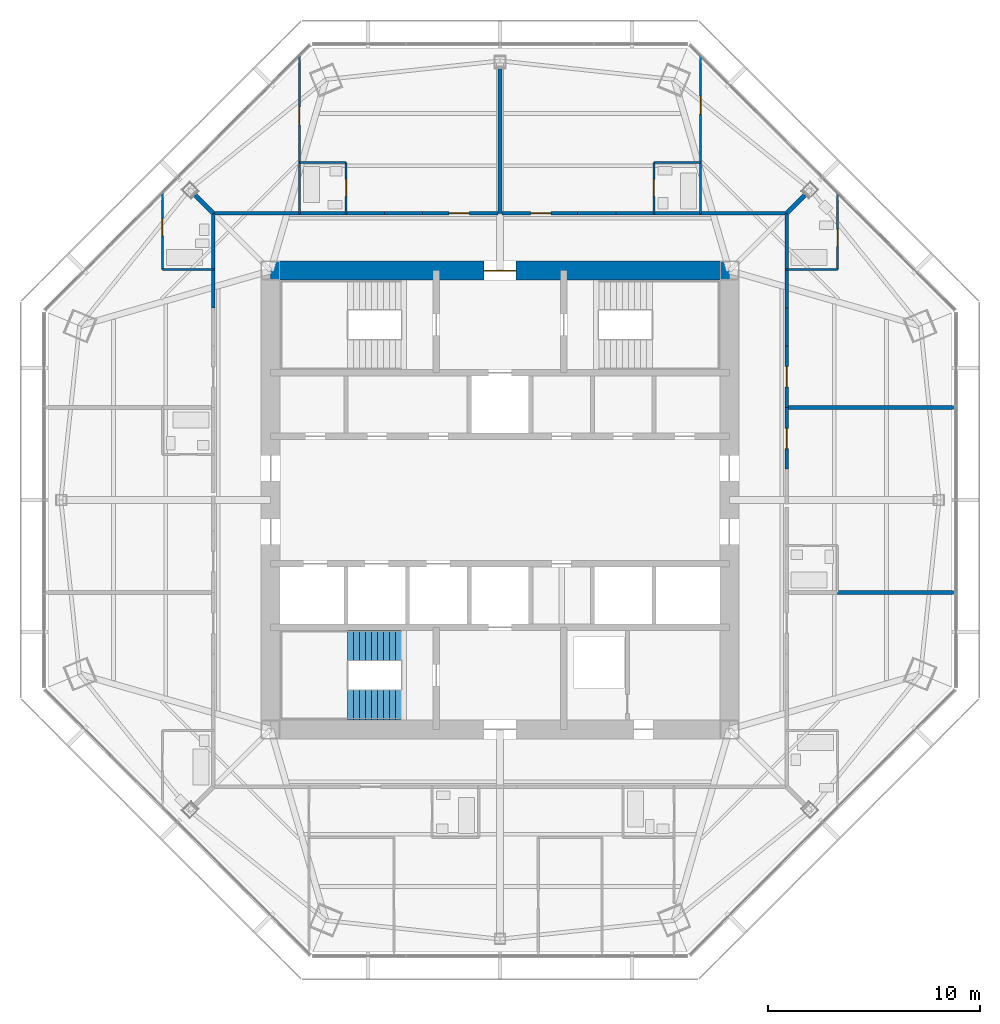
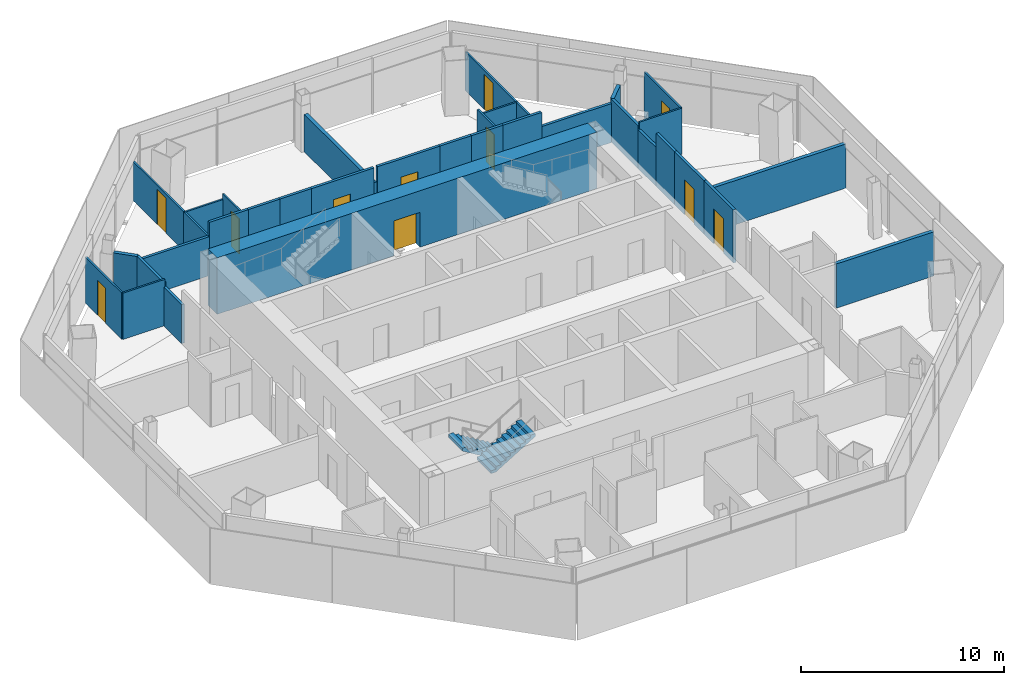
# One storey, part 11 of 15: 35 walls, 11 doors, 2 stair flights, 11 openings, 1 element without a shape of its own.
"""IFC4 building model written with IfcOpenShell, lengths in metres."""

from ifc_helpers import new_model, si_unit, direction, frame, frame_2d, origin, place, context, subcontext, project, spatial, polyline, rectangle, outline, extrude, material, layer, layer_set, type_object, element, fill, aggregate, save


model = new_model("IFC4")

# Units and contexts
model_context = context("Model", 3, precision=1e-05, world=origin(), true_north=direction((0.0, 1.0)))
body_context = subcontext(model_context, "Body", "Model", "MODEL_VIEW")
ifc_project = project(units=[si_unit("LENGTHUNIT", "METRE"), si_unit("AREAUNIT", "SQUARE_METRE"), si_unit("VOLUMEUNIT", "CUBIC_METRE"), si_unit("PLANEANGLEUNIT", "RADIAN"), si_unit("MASSUNIT", "GRAM", prefix="KILO")], contexts=[model_context])

# Site, building, storey
site_placement = place(None, origin())
site = spatial("IfcSite", under=ifc_project, at=site_placement, CompositionType="ELEMENT")
building_placement = place(site_placement, origin())
building = spatial("IfcBuilding", under=site, at=building_placement, Name="Mashrafa Tower", CompositionType="ELEMENT")
storey_placement = place(building_placement, frame((0.0, 0.0, 231.199951171875)))
storey = spatial("IfcBuildingStorey", under=building, at=storey_placement, Name="L54", CompositionType="ELEMENT", Elevation=231.199951171875)

# Walls
ifc_material_1 = material(Name="Gypsum board on steel studs", Category="steel")
ifc_layer_1 = layer(ifc_material_1, 0.199951171875)
ifc_layer_set_1 = layer_set([ifc_layer_1], Name="Acoustic partition 200 1 hr")
wall_type_1 = type_object("IfcWallType", Name="Acoustic partition 200 1 hr", PredefinedType="PARTITIONING", material=ifc_layer_set_1)
wall_1_placement = place(storey_placement, frame((21.456298828125, -4.35009765625, 0.0), z_axis=(0.0, 0.0, 1.0), x_axis=(-1.0, 0.0, 0.0)))
element("IfcWall", 1, at=wall_1_placement, inside=storey, type_object=wall_type_1, Name="Acoustic wall L54-050", PredefinedType="PARTITIONING", context=body_context, shape_type="SweptSolid", body=[
    extrude(rectangle(XDim=5.557373046875, YDim=0.199951171875, at=frame_2d((2.77880859375, 0.0))), origin(), (0.0, 0.0, 1.0), 2.661865234375),
])
wall_2_placement = place(storey_placement, frame((21.456298828125, 4.35009765625, 0.0), z_axis=(0.0, 0.0, 1.0), x_axis=(-1.0, 0.0, 0.0)))
element("IfcWall", 2, at=wall_2_placement, inside=storey, type_object=wall_type_1, Name="Acoustic wall L54-053", PredefinedType="PARTITIONING", context=body_context, shape_type="SweptSolid", body=[
    extrude(rectangle(XDim=7.956298828125, YDim=0.199951171875, at=frame_2d((3.97802734375, 0.0))), origin(), (0.0, 0.0, 1.0), 2.661865234375),
])
wall_3_placement = place(storey_placement, frame((14.360595703125, 14.360595703125, 0.0), z_axis=(0.0, 0.0, 1.0), x_axis=(-0.707106781187, -0.707106781187, 0.0)))
element("IfcWall", 3, at=wall_3_placement, inside=storey, type_object=wall_type_1, Name="Acoustic wall L54-056", PredefinedType="PARTITIONING", context=body_context, shape_type="SweptSolid", body=[
    extrude(rectangle(XDim=1.217041015625, YDim=0.199951171875, at=frame_2d((0.6083984375, 0.0))), origin(), (0.0, 0.0, 1.0), 2.5830078125),
])
wall_4_placement = place(storey_placement, frame((0.0, 20.30908203125, 0.0), z_axis=(0.0, 0.0, 1.0), x_axis=(0.0, -1.0, 0.0)))
element("IfcWall", 4, at=wall_4_placement, inside=storey, type_object=wall_type_1, Name="Acoustic wall L54-061", PredefinedType="PARTITIONING", context=body_context, shape_type="SweptSolid", body=[
    extrude(rectangle(XDim=6.80908203125, YDim=0.199951171875, at=frame_2d((3.404541015625, 0.0))), origin(), (0.0, 0.0, 1.0), 2.2529296875),
])
wall_5_placement = place(storey_placement, frame((-14.360595703125, 14.360595703125, 0.0), z_axis=(0.0, 0.0, 1.0), x_axis=(0.707106781187, -0.707106781187, 0.0)))
element("IfcWall", 5, at=wall_5_placement, inside=storey, type_object=wall_type_1, Name="Acoustic wall L54-064", PredefinedType="PARTITIONING", context=body_context, shape_type="SweptSolid", body=[
    extrude(rectangle(XDim=1.217041015625, YDim=0.199951171875, at=frame_2d((0.6083984375, 0.0))), origin(), (0.0, 0.0, 1.0), 2.5830078125),
])

# Wall, opening, door
ifc_material_2 = material(Name="Concrete C50/60", Category="concrete")
ifc_layer_2 = layer(ifc_material_2, 0.89990234375)
ifc_layer_set_2 = layer_set([ifc_layer_2], Name="Core wall 900 C50/60")
wall_type_2 = type_object("IfcWallType", Name="Core wall 900 C50/60", PredefinedType="SOLIDWALL", material=ifc_layer_set_2)
wall_6_placement = place(storey_placement, frame((10.800048828125, 10.800048828125, 0.0), z_axis=(0.0, 0.0, 1.0), x_axis=(-1.0, 0.0, 0.0)))
wall_6 = element("IfcWall", 6, at=wall_6_placement, inside=storey, type_object=wall_type_2, Name="Core wall CW-N L54", PredefinedType="SOLIDWALL", context=body_context, shape_type="SweptSolid", body=[
    extrude(rectangle(XDim=21.60009765625, YDim=0.89990234375, at=frame_2d((10.800048828125, 0.0))), origin(), (0.0, 0.0, 1.0), 3.400146484375),
])
opening_1_placement = place(wall_6_placement, frame((10.050048828125, 0.0, 0.0)))
opening_1 = element("IfcOpeningElement", 7, at=opening_1_placement, cuts=wall_6, Name="Opening 54.030", PredefinedType="OPENING", context=body_context, shape_type="SweptSolid", body=[
    extrude(rectangle(XDim=1.5, YDim=2.10009765625, at=frame_2d((0.75, 1.050048828125))), frame((0.0, 0.4599609375, 0.0), z_axis=(0.0, -1.0, 0.0), x_axis=(1.0, 0.0, 0.0)), (0.0, 0.0, 1.0), 0.919921875),
])
ifc_material_3 = material(Name="Steel door", Category="steel")
door_type_1 = type_object("IfcDoorType", Name="Lobby door pair 1500 x 2100 90 min", OperationType="DOUBLE_DOOR_SINGLE_SWING", PredefinedType="DOOR", material=ifc_material_3)
door_1_placement = place(opening_1_placement, origin())
door_1 = element("IfcDoor", 8, at=door_1_placement, inside=storey, type_object=door_type_1, Name="Fire-fighting lobby F1 door L54", OperationType="DOUBLE_DOOR_SINGLE_SWING", OverallHeight=2.10009765625, OverallWidth=1.5, PredefinedType="DOOR", context=body_context, shape_type="SweptSolid", body=[
    extrude(rectangle(XDim=1.5, YDim=2.10009765625, at=frame_2d((0.75, 1.050048828125))), frame((0.0, 0.02490234375, 0.0), z_axis=(0.0, -1.0, 0.0), x_axis=(1.0, 0.0, 0.0)), (0.0, 0.0, 1.0), 0.050048828125),
])
fill(opening_1, door_1)

ifc_material_4 = material(Name="Gypsum board on steel studs", Category="steel")
ifc_layer_3 = layer(ifc_material_4, 0.14990234375)
ifc_layer_set_3 = layer_set([ifc_layer_3], Name="Corridor partition 150 1 hr")
wall_type_3 = type_object("IfcWallType", Name="Corridor partition 150 1 hr", PredefinedType="PARTITIONING", material=ifc_layer_set_3)
wall_7_placement = place(storey_placement, frame((13.5, 1.448974609375, 0.0), z_axis=(0.0, 0.0, 1.0), x_axis=(0.0, 1.0, 0.0)))
wall_7 = element("IfcWall", 9, at=wall_7_placement, inside=storey, type_object=wall_type_3, Name="Corridor wall L54-009", PredefinedType="PARTITIONING", context=body_context, shape_type="SweptSolid", body=[
    extrude(rectangle(XDim=2.902099609375, YDim=0.14990234375, at=frame_2d((1.451171875, 0.0))), origin(), (0.0, 0.0, 1.0), 3.199951171875),
])
opening_2_placement = place(wall_7_placement, frame((0.97607421875, 0.0, 0.0)))
opening_2 = element("IfcOpeningElement", 10, at=opening_2_placement, cuts=wall_7, Name="Opening 54.004", PredefinedType="OPENING", context=body_context, shape_type="SweptSolid", body=[
    extrude(rectangle(XDim=0.949951171875, YDim=2.10009765625, at=frame_2d((0.47509765625, 1.050048828125))), frame((0.0, 0.0849609375, 0.0), z_axis=(0.0, -1.0, 0.0), x_axis=(1.0, 0.0, 0.0)), (0.0, 0.0, 1.0), 0.169921875),
])
ifc_material_5 = material(Name="Steel door", Category="steel")
door_type_2 = type_object("IfcDoorType", Name="Residence entrance door 950 x 2100 20 min", OperationType="USERDEFINED", PredefinedType="DOOR", material=ifc_material_5)
door_2_placement = place(opening_2_placement, frame((0.949951171875, 0.0, 0.0), z_axis=(0.0, 0.0, 1.0), x_axis=(-1.0, 0.0, 0.0)))
door_2 = element("IfcDoor", 11, at=door_2_placement, inside=storey, type_object=door_type_2, Name="Apartment 5402 Studio Living Room door", OperationType="SINGLE_SWING_LEFT", OverallHeight=2.10009765625, OverallWidth=0.949951171875, PredefinedType="DOOR", context=body_context, shape_type="SweptSolid", body=[
    extrude(rectangle(XDim=0.949951171875, YDim=2.10009765625, at=frame_2d((0.47509765625, 1.050048828125))), frame((0.0, 0.02490234375, 0.0), z_axis=(0.0, -1.0, 0.0), x_axis=(1.0, 0.0, 0.0)), (0.0, 0.0, 1.0), 0.050048828125),
])
fill(opening_2, door_2)

# Walls
wall_8_placement = place(storey_placement, frame((13.5, 10.84912109375, 0.0), z_axis=(0.0, 0.0, 1.0), x_axis=(0.0, 1.0, 0.0)))
element("IfcWall", 12, at=wall_8_placement, inside=storey, type_object=wall_type_3, Name="Corridor wall L54-010", PredefinedType="PARTITIONING", context=body_context, shape_type="SweptSolid", body=[
    extrude(rectangle(XDim=2.65087890625, YDim=0.14990234375, at=frame_2d((1.325439453125, 0.0))), origin(), (0.0, 0.0, 1.0), 2.5830078125),
])
wall_9_placement = place(storey_placement, frame((13.5, 7.2490234375, 0.0), z_axis=(0.0, 0.0, 1.0), x_axis=(0.0, 1.0, 0.0)))
element("IfcWall", 13, at=wall_9_placement, inside=storey, type_object=wall_type_3, Name="Corridor wall L54-011", PredefinedType="PARTITIONING", context=body_context, shape_type="SweptSolid", body=[
    extrude(rectangle(XDim=1.802001953125, YDim=0.14990234375, at=frame_2d((0.90087890625, 0.0))), origin(), (0.0, 0.0, 1.0), 3.199951171875),
])

# Wall, opening, door
wall_10_placement = place(storey_placement, frame((13.5, 4.34912109375, 0.0), z_axis=(0.0, 0.0, 1.0), x_axis=(0.0, 1.0, 0.0)))
wall_10 = element("IfcWall", 14, at=wall_10_placement, inside=storey, type_object=wall_type_3, Name="Corridor wall L54-012", PredefinedType="PARTITIONING", context=body_context, shape_type="SweptSolid", body=[
    extrude(rectangle(XDim=2.90185546875, YDim=0.14990234375, at=frame_2d((1.450927734375, 0.0))), origin(), (0.0, 0.0, 1.0), 3.199951171875),
])
opening_3_placement = place(wall_10_placement, frame((0.97607421875, 0.0, 0.0)))
opening_3 = element("IfcOpeningElement", 15, at=opening_3_placement, cuts=wall_10, Name="Opening 54.006", PredefinedType="OPENING", context=body_context, shape_type="SweptSolid", body=[
    extrude(rectangle(XDim=0.949951171875, YDim=2.10009765625, at=frame_2d((0.47509765625, 1.050048828125))), frame((0.0, 0.0849609375, 0.0), z_axis=(0.0, -1.0, 0.0), x_axis=(1.0, 0.0, 0.0)), (0.0, 0.0, 1.0), 0.169921875),
])
door_3_placement = place(opening_3_placement, frame((0.949951171875, 0.0, 0.0), z_axis=(0.0, 0.0, 1.0), x_axis=(-1.0, 0.0, 0.0)))
door_3 = element("IfcDoor", 16, at=door_3_placement, inside=storey, type_object=door_type_2, Name="Apartment 5403 Studio Living Room door", OperationType="SINGLE_SWING_RIGHT", OverallHeight=2.10009765625, OverallWidth=0.949951171875, PredefinedType="DOOR", context=body_context, shape_type="SweptSolid", body=[
    extrude(rectangle(XDim=0.949951171875, YDim=2.10009765625, at=frame_2d((0.47509765625, 1.050048828125))), frame((0.0, 0.02490234375, 0.0), z_axis=(0.0, -1.0, 0.0), x_axis=(1.0, 0.0, 0.0)), (0.0, 0.0, 1.0), 0.050048828125),
])
fill(opening_3, door_3)

# Walls
wall_11_placement = place(storey_placement, frame((13.5, 9.049072265625, 0.0), z_axis=(0.0, 0.0, 1.0), x_axis=(0.0, 1.0, 0.0)))
element("IfcWall", 17, at=wall_11_placement, inside=storey, type_object=wall_type_3, Name="Corridor wall L54-013", PredefinedType="PARTITIONING", context=body_context, shape_type="SweptSolid", body=[
    extrude(rectangle(XDim=1.802001953125, YDim=0.14990234375, at=frame_2d((0.90087890625, 0.0))), origin(), (0.0, 0.0, 1.0), 2.34423828125),
])
wall_12_placement = place(storey_placement, frame((13.5, 13.5, 0.0), z_axis=(0.0, 0.0, 1.0), x_axis=(-1.0, 0.0, 0.0)))
element("IfcWall", 18, at=wall_12_placement, inside=storey, type_object=wall_type_3, Name="Corridor wall L54-014", PredefinedType="PARTITIONING", context=body_context, shape_type="SweptSolid", body=[
    extrude(rectangle(XDim=4.051025390625, YDim=0.14990234375, at=frame_2d((2.025390625, 0.0))), origin(), (0.0, 0.0, 1.0), 2.34423828125),
])
wall_13_placement = place(storey_placement, frame((9.450927734375, 13.5, 0.0), z_axis=(0.0, 0.0, 1.0), x_axis=(-1.0, 0.0, 0.0)))
element("IfcWall", 19, at=wall_13_placement, inside=storey, type_object=wall_type_3, Name="Corridor wall L54-015", PredefinedType="PARTITIONING", context=body_context, shape_type="SweptSolid", body=[
    extrude(rectangle(XDim=2.201904296875, YDim=0.14990234375, at=frame_2d((1.10107421875, 0.0))), origin(), (0.0, 0.0, 1.0), 3.199951171875),
])
wall_14_placement = place(storey_placement, frame((5.450927734375, 13.5, 0.0), z_axis=(0.0, 0.0, 1.0), x_axis=(-1.0, 0.0, 0.0)))
element("IfcWall", 20, at=wall_14_placement, inside=storey, type_object=wall_type_3, Name="Corridor wall L54-016", PredefinedType="PARTITIONING", context=body_context, shape_type="SweptSolid", body=[
    extrude(rectangle(XDim=1.802001953125, YDim=0.14990234375, at=frame_2d((0.90087890625, 0.0))), origin(), (0.0, 0.0, 1.0), 3.199951171875),
])

# Wall, opening, door
wall_15_placement = place(storey_placement, frame((3.65087890625, 13.5, 0.0), z_axis=(0.0, 0.0, 1.0), x_axis=(-1.0, 0.0, 0.0)))
wall_15 = element("IfcWall", 21, at=wall_15_placement, inside=storey, type_object=wall_type_3, Name="Corridor wall L54-017", PredefinedType="PARTITIONING", context=body_context, shape_type="SweptSolid", body=[
    extrude(rectangle(XDim=3.548828125, YDim=0.14990234375, at=frame_2d((1.7744140625, 0.0))), origin(), (0.0, 0.0, 1.0), 3.199951171875),
])
opening_4_placement = place(wall_15_placement, frame((1.2587890625, 0.0, 0.0)))
opening_4 = element("IfcOpeningElement", 22, at=opening_4_placement, cuts=wall_15, Name="Opening 54.009", PredefinedType="OPENING", context=body_context, shape_type="SweptSolid", body=[
    extrude(rectangle(XDim=0.949951171875, YDim=2.10009765625, at=frame_2d((0.47509765625, 1.050048828125))), frame((0.0, 0.0849609375, 0.0), z_axis=(0.0, -1.0, 0.0), x_axis=(1.0, 0.0, 0.0)), (0.0, 0.0, 1.0), 0.169921875),
])
door_4_placement = place(opening_4_placement, frame((0.949951171875, 0.0, 0.0), z_axis=(0.0, 0.0, 1.0), x_axis=(-1.0, 0.0, 0.0)))
door_4 = element("IfcDoor", 23, at=door_4_placement, inside=storey, type_object=door_type_2, Name="Apartment 5404 Living Room door", OperationType="SINGLE_SWING_RIGHT", OverallHeight=2.10009765625, OverallWidth=0.949951171875, PredefinedType="DOOR", context=body_context, shape_type="SweptSolid", body=[
    extrude(rectangle(XDim=0.949951171875, YDim=2.10009765625, at=frame_2d((0.47509765625, 1.050048828125))), frame((0.0, 0.02490234375, 0.0), z_axis=(0.0, -1.0, 0.0), x_axis=(1.0, 0.0, 0.0)), (0.0, 0.0, 1.0), 0.050048828125),
])
fill(opening_4, door_4)

# Walls
wall_16_placement = place(storey_placement, frame((7.2509765625, 13.5, 0.0), z_axis=(0.0, 0.0, 1.0), x_axis=(-1.0, 0.0, 0.0)))
element("IfcWall", 24, at=wall_16_placement, inside=storey, type_object=wall_type_3, Name="Corridor wall L54-018", PredefinedType="PARTITIONING", context=body_context, shape_type="SweptSolid", body=[
    extrude(rectangle(XDim=1.802001953125, YDim=0.14990234375, at=frame_2d((0.90087890625, 0.0))), origin(), (0.0, 0.0, 1.0), 3.199951171875),
])
wall_17_placement = place(storey_placement, frame((-9.448974609375, 13.5, 0.0), z_axis=(0.0, 0.0, 1.0), x_axis=(-1.0, 0.0, 0.0)))
element("IfcWall", 25, at=wall_17_placement, inside=storey, type_object=wall_type_3, Name="Corridor wall L54-019", PredefinedType="PARTITIONING", context=body_context, shape_type="SweptSolid", body=[
    extrude(rectangle(XDim=4.051025390625, YDim=0.14990234375, at=frame_2d((2.025390625, 0.0))), origin(), (0.0, 0.0, 1.0), 2.34423828125),
])
wall_18_placement = place(storey_placement, frame((-7.2490234375, 13.5, 0.0), z_axis=(0.0, 0.0, 1.0), x_axis=(-1.0, 0.0, 0.0)))
element("IfcWall", 26, at=wall_18_placement, inside=storey, type_object=wall_type_3, Name="Corridor wall L54-020", PredefinedType="PARTITIONING", context=body_context, shape_type="SweptSolid", body=[
    extrude(rectangle(XDim=2.201904296875, YDim=0.14990234375, at=frame_2d((1.10107421875, 0.0))), origin(), (0.0, 0.0, 1.0), 3.199951171875),
])
for number, where, z_axis, x_axis, name in (
    (27, (-3.64892578125, 13.5, 0.0), (0.0, 0.0, 1.0), (-1.0, 0.0, 0.0), "Corridor wall L54-021"),
    (28, (-5.448974609375, 13.5, 0.0), (0.0, 0.0, 1.0), (-1.0, 0.0, 0.0), "Corridor wall L54-022"),
):
    element("IfcWall", number, at=place(storey_placement, frame(where, z_axis=z_axis, x_axis=x_axis)), inside=storey, type_object=wall_type_3, Name=name, PredefinedType="PARTITIONING", context=body_context, shape_type="SweptSolid", body=[
        extrude(rectangle(XDim=1.802001953125, YDim=0.14990234375, at=frame_2d((0.90087890625, 0.0))), origin(), (0.0, 0.0, 1.0), 3.199951171875),
    ])

# Wall, opening, door
wall_19_placement = place(storey_placement, frame((-0.10205078125, 13.5, 0.0), z_axis=(0.0, 0.0, 1.0), x_axis=(-1.0, 0.0, 0.0)))
wall_19 = element("IfcWall", 29, at=wall_19_placement, inside=storey, type_object=wall_type_3, Name="Corridor wall L54-023", PredefinedType="PARTITIONING", context=body_context, shape_type="SweptSolid", body=[
    extrude(rectangle(XDim=3.548828125, YDim=0.14990234375, at=frame_2d((1.7744140625, 0.0))), origin(), (0.0, 0.0, 1.0), 3.199951171875),
])
opening_5_placement = place(wall_19_placement, frame((1.34033203125, 0.0, 0.0)))
opening_5 = element("IfcOpeningElement", 30, at=opening_5_placement, cuts=wall_19, Name="Opening 54.012", PredefinedType="OPENING", context=body_context, shape_type="SweptSolid", body=[
    extrude(rectangle(XDim=0.949951171875, YDim=2.10009765625, at=frame_2d((0.47509765625, 1.050048828125))), frame((0.0, 0.0849609375, 0.0), z_axis=(0.0, -1.0, 0.0), x_axis=(1.0, 0.0, 0.0)), (0.0, 0.0, 1.0), 0.169921875),
])
door_5_placement = place(opening_5_placement, frame((0.949951171875, 0.0, 0.0), z_axis=(0.0, 0.0, 1.0), x_axis=(-1.0, 0.0, 0.0)))
door_5 = element("IfcDoor", 31, at=door_5_placement, inside=storey, type_object=door_type_2, Name="Apartment 5405 Living Room door", OperationType="SINGLE_SWING_LEFT", OverallHeight=2.10009765625, OverallWidth=0.949951171875, PredefinedType="DOOR", context=body_context, shape_type="SweptSolid", body=[
    extrude(rectangle(XDim=0.949951171875, YDim=2.10009765625, at=frame_2d((0.47509765625, 1.050048828125))), frame((0.0, 0.02490234375, 0.0), z_axis=(0.0, -1.0, 0.0), x_axis=(1.0, 0.0, 0.0)), (0.0, 0.0, 1.0), 0.050048828125),
])
fill(opening_5, door_5)

# Walls
wall_20_placement = place(storey_placement, frame((-13.5, 13.5, 0.0), z_axis=(0.0, 0.0, 1.0), x_axis=(0.0, -1.0, 0.0)))
element("IfcWall", 32, at=wall_20_placement, inside=storey, type_object=wall_type_3, Name="Corridor wall L54-024", PredefinedType="PARTITIONING", context=body_context, shape_type="SweptSolid", body=[
    extrude(rectangle(XDim=2.65087890625, YDim=0.14990234375, at=frame_2d((1.325439453125, 0.0))), origin(), (0.0, 0.0, 1.0), 2.5830078125),
])
wall_21_placement = place(storey_placement, frame((-13.5, 10.85107421875, 0.0), z_axis=(0.0, 0.0, 1.0), x_axis=(0.0, -1.0, 0.0)))
element("IfcWall", 33, at=wall_21_placement, inside=storey, type_object=wall_type_3, Name="Corridor wall L54-027", PredefinedType="PARTITIONING", context=body_context, shape_type="SweptSolid", body=[
    extrude(rectangle(XDim=1.802001953125, YDim=0.14990234375, at=frame_2d((0.90087890625, 0.0))), origin(), (0.0, 0.0, 1.0), 2.34423828125),
])
ifc_material_6 = material(Name="Gypsum board on steel studs", Category="steel")
ifc_layer_4 = layer(ifc_material_6, 0.10009765625)
ifc_layer_set_4 = layer_set([ifc_layer_4], Name="Partition 100")
wall_type_4 = type_object("IfcWallType", Name="Partition 100", PredefinedType="PARTITIONING", material=ifc_layer_set_4)
wall_22_placement = place(storey_placement, frame((13.5, 10.85009765625, 0.0), z_axis=(0.0, 0.0, 1.0), x_axis=(1.0, 0.0, 0.0)))
element("IfcWall", 34, at=wall_22_placement, inside=storey, type_object=wall_type_4, Name="Partition wall L54-054", PredefinedType="PARTITIONING", context=body_context, shape_type="SweptSolid", body=[
    extrude(rectangle(XDim=2.39990234375, YDim=0.10009765625, at=frame_2d((1.199951171875, 0.0))), origin(), (0.0, 0.0, 1.0), 2.7861328125),
])

# Wall, opening, door
wall_23_placement = place(storey_placement, frame((15.89990234375, 10.85009765625, 0.0), z_axis=(0.0, 0.0, 1.0), x_axis=(0.0, 1.0, 0.0)))
wall_23 = element("IfcWall", 35, at=wall_23_placement, inside=storey, type_object=wall_type_4, Name="Partition wall L54-055", PredefinedType="PARTITIONING", context=body_context, shape_type="SweptSolid", body=[
    extrude(rectangle(XDim=3.597412109375, YDim=0.10009765625, at=frame_2d((1.798828125, 0.0))), origin(), (0.0, 0.0, 1.0), 2.78369140625),
])
opening_6_placement = place(wall_23_placement, frame((1.091552734375, 0.0, 0.0)))
opening_6 = element("IfcOpeningElement", 36, at=opening_6_placement, cuts=wall_23, Name="Opening 54.005", PredefinedType="OPENING", context=body_context, shape_type="SweptSolid", body=[
    extrude(rectangle(XDim=0.800048828125, YDim=2.10009765625, at=frame_2d((0.39990234375, 1.050048828125))), frame((0.0, 0.06005859375, 0.0), z_axis=(0.0, -1.0, 0.0), x_axis=(1.0, 0.0, 0.0)), (0.0, 0.0, 1.0), 0.1201171875),
])
ifc_material_7 = material(Name="Timber door", Category="wood")
door_type_3 = type_object("IfcDoorType", Name="Bathroom door 800 x 2100", OperationType="USERDEFINED", PredefinedType="DOOR", material=ifc_material_7)
door_6_placement = place(opening_6_placement, origin())
door_6 = element("IfcDoor", 37, at=door_6_placement, inside=storey, type_object=door_type_3, Name="Apartment 5403 Bathroom door", OperationType="SINGLE_SWING_LEFT", OverallHeight=2.10009765625, OverallWidth=0.800048828125, PredefinedType="DOOR", context=body_context, shape_type="SweptSolid", body=[
    extrude(rectangle(XDim=0.800048828125, YDim=2.10009765625, at=frame_2d((0.39990234375, 1.050048828125))), frame((0.0, 0.02490234375, 0.0), z_axis=(0.0, -1.0, 0.0), x_axis=(1.0, 0.0, 0.0)), (0.0, 0.0, 1.0), 0.050048828125),
])
fill(opening_6, door_6)

# Wall
wall_24_placement = place(storey_placement, frame((9.449951171875, 15.90087890625, 0.0), z_axis=(0.0, 0.0, 1.0), x_axis=(0.0, -1.0, 0.0)))
element("IfcWall", 38, at=wall_24_placement, inside=storey, type_object=wall_type_4, Name="Partition wall L54-057", PredefinedType="PARTITIONING", context=body_context, shape_type="SweptSolid", body=[
    extrude(rectangle(XDim=2.40087890625, YDim=0.10009765625, at=frame_2d((1.200439453125, 0.0))), origin(), (0.0, 0.0, 1.0), 2.34423828125),
])

# Wall, opening, door
wall_25_placement = place(storey_placement, frame((9.449951171875, 20.897705078125, 0.0), z_axis=(0.0, 0.0, 1.0), x_axis=(0.0, -1.0, 0.0)))
wall_25 = element("IfcWall", 39, at=wall_25_placement, inside=storey, type_object=wall_type_4, Name="Partition wall L54-058", PredefinedType="PARTITIONING", context=body_context, shape_type="SweptSolid", body=[
    extrude(rectangle(XDim=4.998779296875, YDim=0.10009765625, at=frame_2d((2.49951171875, 0.0))), origin(), (0.0, 0.0, 1.0), 2.34423828125),
])
opening_7_placement = place(wall_25_placement, frame((1.87744140625, 0.0, 0.0)))
opening_7 = element("IfcOpeningElement", 40, at=opening_7_placement, cuts=wall_25, Name="Opening 54.007", PredefinedType="OPENING", context=body_context, shape_type="SweptSolid", body=[
    extrude(rectangle(XDim=0.85009765625, YDim=2.10009765625, at=frame_2d((0.425048828125, 1.050048828125))), frame((0.0, 0.06005859375, 0.0), z_axis=(0.0, -1.0, 0.0), x_axis=(1.0, 0.0, 0.0)), (0.0, 0.0, 1.0), 0.1201171875),
])
ifc_material_8 = material(Name="Timber door", Category="wood")
door_type_4 = type_object("IfcDoorType", Name="Bedroom door 850 x 2100", OperationType="USERDEFINED", PredefinedType="DOOR", material=ifc_material_8)
door_7_placement = place(opening_7_placement, origin())
door_7 = element("IfcDoor", 41, at=door_7_placement, inside=storey, type_object=door_type_4, Name="Apartment 5404 Bedroom 1 door", OperationType="SINGLE_SWING_LEFT", OverallHeight=2.10009765625, OverallWidth=0.85009765625, PredefinedType="DOOR", context=body_context, shape_type="SweptSolid", body=[
    extrude(rectangle(XDim=0.85009765625, YDim=2.10009765625, at=frame_2d((0.425048828125, 1.050048828125))), frame((0.0, 0.02490234375, 0.0), z_axis=(0.0, -1.0, 0.0), x_axis=(1.0, 0.0, 0.0)), (0.0, 0.0, 1.0), 0.050048828125),
])
fill(opening_7, door_7)

# Wall
wall_26_placement = place(storey_placement, frame((9.449951171875, 15.89990234375, 0.0), z_axis=(0.0, 0.0, 1.0), x_axis=(-1.0, 0.0, 0.0)))
element("IfcWall", 42, at=wall_26_placement, inside=storey, type_object=wall_type_4, Name="Partition wall L54-059", PredefinedType="PARTITIONING", context=body_context, shape_type="SweptSolid", body=[
    extrude(rectangle(XDim=2.199951171875, YDim=0.10009765625, at=frame_2d((1.10009765625, 0.0))), origin(), (0.0, 0.0, 1.0), 2.34423828125),
])

# Wall, opening, door
wall_27_placement = place(storey_placement, frame((7.25, 15.89990234375, 0.0), z_axis=(0.0, 0.0, 1.0), x_axis=(0.0, -1.0, 0.0)))
wall_27 = element("IfcWall", 43, at=wall_27_placement, inside=storey, type_object=wall_type_4, Name="Partition wall L54-060", PredefinedType="PARTITIONING", context=body_context, shape_type="SweptSolid", body=[
    extrude(rectangle(XDim=2.39990234375, YDim=0.10009765625, at=frame_2d((1.199951171875, 0.0))), origin(), (0.0, 0.0, 1.0), 2.664306640625),
])
opening_8_placement = place(wall_27_placement, frame((0.800048828125, 0.0, 0.0)))
opening_8 = element("IfcOpeningElement", 44, at=opening_8_placement, cuts=wall_27, Name="Opening 54.008", PredefinedType="OPENING", context=body_context, shape_type="SweptSolid", body=[
    extrude(rectangle(XDim=0.800048828125, YDim=2.10009765625, at=frame_2d((0.39990234375, 1.050048828125))), frame((0.0, 0.06005859375, 0.0), z_axis=(0.0, -1.0, 0.0), x_axis=(1.0, 0.0, 0.0)), (0.0, 0.0, 1.0), 0.1201171875),
])
door_8_placement = place(opening_8_placement, origin())
door_8 = element("IfcDoor", 45, at=door_8_placement, inside=storey, type_object=door_type_3, Name="Apartment 5404 Bathroom door", OperationType="SINGLE_SWING_LEFT", OverallHeight=2.10009765625, OverallWidth=0.800048828125, PredefinedType="DOOR", context=body_context, shape_type="SweptSolid", body=[
    extrude(rectangle(XDim=0.800048828125, YDim=2.10009765625, at=frame_2d((0.39990234375, 1.050048828125))), frame((0.0, 0.02490234375, 0.0), z_axis=(0.0, -1.0, 0.0), x_axis=(1.0, 0.0, 0.0)), (0.0, 0.0, 1.0), 0.050048828125),
])
fill(opening_8, door_8)

# Wall
wall_28_placement = place(storey_placement, frame((-9.449951171875, 13.5, 0.0), z_axis=(0.0, 0.0, 1.0), x_axis=(0.0, 1.0, 0.0)))
element("IfcWall", 46, at=wall_28_placement, inside=storey, type_object=wall_type_4, Name="Partition wall L54-062", PredefinedType="PARTITIONING", context=body_context, shape_type="SweptSolid", body=[
    extrude(rectangle(XDim=2.40087890625, YDim=0.10009765625, at=frame_2d((1.200439453125, 0.0))), origin(), (0.0, 0.0, 1.0), 2.34423828125),
])

# Wall, opening, door
wall_29_placement = place(storey_placement, frame((-9.449951171875, 15.89892578125, 0.0), z_axis=(0.0, 0.0, 1.0), x_axis=(0.0, 1.0, 0.0)))
wall_29 = element("IfcWall", 47, at=wall_29_placement, inside=storey, type_object=wall_type_4, Name="Partition wall L54-063", PredefinedType="PARTITIONING", context=body_context, shape_type="SweptSolid", body=[
    extrude(rectangle(XDim=4.998779296875, YDim=0.10009765625, at=frame_2d((2.49951171875, 0.0))), origin(), (0.0, 0.0, 1.0), 2.34423828125),
])
opening_9_placement = place(wall_29_placement, frame((1.76708984375, 0.0, 0.0)))
opening_9 = element("IfcOpeningElement", 48, at=opening_9_placement, cuts=wall_29, Name="Opening 54.010", PredefinedType="OPENING", context=body_context, shape_type="SweptSolid", body=[
    extrude(rectangle(XDim=0.85009765625, YDim=2.10009765625, at=frame_2d((0.425048828125, 1.050048828125))), frame((0.0, 0.06005859375, 0.0), z_axis=(0.0, -1.0, 0.0), x_axis=(1.0, 0.0, 0.0)), (0.0, 0.0, 1.0), 0.1201171875),
])
door_9_placement = place(opening_9_placement, origin())
door_9 = element("IfcDoor", 49, at=door_9_placement, inside=storey, type_object=door_type_4, Name="Apartment 5405 Bedroom 1 door", OperationType="SINGLE_SWING_RIGHT", OverallHeight=2.10009765625, OverallWidth=0.85009765625, PredefinedType="DOOR", context=body_context, shape_type="SweptSolid", body=[
    extrude(rectangle(XDim=0.85009765625, YDim=2.10009765625, at=frame_2d((0.425048828125, 1.050048828125))), frame((0.0, 0.02490234375, 0.0), z_axis=(0.0, -1.0, 0.0), x_axis=(1.0, 0.0, 0.0)), (0.0, 0.0, 1.0), 0.050048828125),
])
fill(opening_9, door_9)

wall_30_placement = place(storey_placement, frame((-7.25, 13.5, 0.0), z_axis=(0.0, 0.0, 1.0), x_axis=(0.0, 1.0, 0.0)))
wall_30 = element("IfcWall", 50, at=wall_30_placement, inside=storey, type_object=wall_type_4, Name="Partition wall L54-065", PredefinedType="PARTITIONING", context=body_context, shape_type="SweptSolid", body=[
    extrude(rectangle(XDim=2.39990234375, YDim=0.10009765625, at=frame_2d((1.199951171875, 0.0))), origin(), (0.0, 0.0, 1.0), 2.664306640625),
])
opening_10_placement = place(wall_30_placement, frame((0.800048828125, 0.0, 0.0)))
opening_10 = element("IfcOpeningElement", 51, at=opening_10_placement, cuts=wall_30, Name="Opening 54.011", PredefinedType="OPENING", context=body_context, shape_type="SweptSolid", body=[
    extrude(rectangle(XDim=0.800048828125, YDim=2.10009765625, at=frame_2d((0.39990234375, 1.050048828125))), frame((0.0, 0.06005859375, 0.0), z_axis=(0.0, -1.0, 0.0), x_axis=(1.0, 0.0, 0.0)), (0.0, 0.0, 1.0), 0.1201171875),
])
door_10_placement = place(opening_10_placement, origin())
door_10 = element("IfcDoor", 52, at=door_10_placement, inside=storey, type_object=door_type_3, Name="Apartment 5405 Bathroom door", OperationType="SINGLE_SWING_RIGHT", OverallHeight=2.10009765625, OverallWidth=0.800048828125, PredefinedType="DOOR", context=body_context, shape_type="SweptSolid", body=[
    extrude(rectangle(XDim=0.800048828125, YDim=2.10009765625, at=frame_2d((0.39990234375, 1.050048828125))), frame((0.0, 0.02490234375, 0.0), z_axis=(0.0, -1.0, 0.0), x_axis=(1.0, 0.0, 0.0)), (0.0, 0.0, 1.0), 0.050048828125),
])
fill(opening_10, door_10)

# Wall
wall_31_placement = place(storey_placement, frame((-7.25, 15.89990234375, 0.0), z_axis=(0.0, 0.0, 1.0), x_axis=(-1.0, 0.0, 0.0)))
element("IfcWall", 53, at=wall_31_placement, inside=storey, type_object=wall_type_4, Name="Partition wall L54-066", PredefinedType="PARTITIONING", context=body_context, shape_type="SweptSolid", body=[
    extrude(rectangle(XDim=2.199951171875, YDim=0.10009765625, at=frame_2d((1.10009765625, 0.0))), origin(), (0.0, 0.0, 1.0), 2.34423828125),
])

# Wall, opening, door
wall_32_placement = place(storey_placement, frame((-15.89990234375, 14.447509765625, 0.0), z_axis=(0.0, 0.0, 1.0), x_axis=(0.0, -1.0, 0.0)))
wall_32 = element("IfcWall", 54, at=wall_32_placement, inside=storey, type_object=wall_type_4, Name="Partition wall L54-067", PredefinedType="PARTITIONING", context=body_context, shape_type="SweptSolid", body=[
    extrude(rectangle(XDim=3.597412109375, YDim=0.10009765625, at=frame_2d((1.798828125, 0.0))), origin(), (0.0, 0.0, 1.0), 2.78369140625),
])
opening_11_placement = place(wall_32_placement, frame((1.201904296875, 0.0, 0.0)))
opening_11 = element("IfcOpeningElement", 55, at=opening_11_placement, cuts=wall_32, Name="Opening 54.013", PredefinedType="OPENING", context=body_context, shape_type="SweptSolid", body=[
    extrude(rectangle(XDim=0.800048828125, YDim=2.10009765625, at=frame_2d((0.39990234375, 1.050048828125))), frame((0.0, 0.06005859375, 0.0), z_axis=(0.0, -1.0, 0.0), x_axis=(1.0, 0.0, 0.0)), (0.0, 0.0, 1.0), 0.1201171875),
])
door_11_placement = place(opening_11_placement, origin())
door_11 = element("IfcDoor", 56, at=door_11_placement, inside=storey, type_object=door_type_3, Name="Apartment 5406 Bathroom door", OperationType="SINGLE_SWING_LEFT", OverallHeight=2.10009765625, OverallWidth=0.800048828125, PredefinedType="DOOR", context=body_context, shape_type="SweptSolid", body=[
    extrude(rectangle(XDim=0.800048828125, YDim=2.10009765625, at=frame_2d((0.39990234375, 1.050048828125))), frame((0.0, 0.02490234375, 0.0), z_axis=(0.0, -1.0, 0.0), x_axis=(1.0, 0.0, 0.0)), (0.0, 0.0, 1.0), 0.050048828125),
])
fill(opening_11, door_11)

# Wall
wall_33_placement = place(storey_placement, frame((-15.89990234375, 10.85009765625, 0.0), z_axis=(0.0, 0.0, 1.0), x_axis=(1.0, 0.0, 0.0)))
element("IfcWall", 57, at=wall_33_placement, inside=storey, type_object=wall_type_4, Name="Partition wall L54-068", PredefinedType="PARTITIONING", context=body_context, shape_type="SweptSolid", body=[
    extrude(rectangle(XDim=2.39990234375, YDim=0.10009765625, at=frame_2d((1.199951171875, 0.0))), origin(), (0.0, 0.0, 1.0), 2.7861328125),
])

# Stair, stair flights
ifc_material_9 = material(Name="Exit stair 1400")
stair_type = type_object("IfcStairType", Name="Exit stair 1400", PredefinedType="HALF_TURN_STAIR", material=ifc_material_9)
stair_placement = place(storey_placement, origin())
stair = element("IfcStair", 58, at=stair_placement, inside=storey, type_object=stair_type, Name="Stair S3 L54", PredefinedType="HALF_TURN_STAIR")
ifc_material_10 = material(Name="Concrete C32/40", Category="concrete")
stair_flight_type = type_object("IfcStairFlightType", Name="Stair flight 1400", PredefinedType="STRAIGHT", material=ifc_material_10)
stair_flight_1_placement = place(storey_placement, frame((-4.64990234375, -6.85009765625, 0.0), z_axis=(0.0, 0.0, 1.0), x_axis=(-1.0, 0.0, 0.0)))
stair_flight_1 = element("IfcStairFlight", 59, at=stair_flight_1_placement, type_object=stair_flight_type, Name="S3 flight 1", NumberOfRisers=10, NumberOfTreads=9, PredefinedType="STRAIGHT", RiserHeight=0.17, TreadLength=0.28, context=body_context, shape_type="SweptSolid", body=[
    extrude(outline(polyline([(0.0, 0.0), (0.0, 0.169921875), (0.280029296875, 0.169921875), (0.280029296875, 0.340087890625), (0.56005859375, 0.340087890625), (0.56005859375, 0.510009765625), (0.840087890625, 0.510009765625), (0.840087890625, 0.679931640625), (1.1201171875, 0.679931640625), (1.1201171875, 0.85009765625), (1.39990234375, 0.85009765625), (1.39990234375, 1.02001953125), (1.679931640625, 1.02001953125), (1.679931640625, 1.18994140625), (1.9599609375, 1.18994140625), (1.9599609375, 1.360107421875), (2.239990234375, 1.360107421875), (2.239990234375, 1.530029296875), (2.52001953125, 1.530029296875), (2.52001953125, 1.699951171875), (2.52001953125, 1.354736328125), (0.288818359375, 0.0), (0.0, 0.0)])), frame((0.0, 0.699951171875, 0.0), z_axis=(0.0, -1.0, 0.0), x_axis=(1.0, 0.0, 0.0)), (0.0, 0.0, 1.0), 1.39990234375),
])
stair_flight_2_placement = place(storey_placement, frame((-7.169921875, -9.64990234375, 1.699951171875), z_axis=(0.0, 0.0, 1.0), x_axis=(1.0, 0.0, 0.0)))
stair_flight_2 = element("IfcStairFlight", 60, at=stair_flight_2_placement, type_object=stair_flight_type, Name="S3 flight 2", NumberOfRisers=10, NumberOfTreads=9, PredefinedType="STRAIGHT", RiserHeight=0.17, TreadLength=0.28, context=body_context, shape_type="SweptSolid", body=[
    extrude(outline(polyline([(0.0, 0.0), (0.0, 0.169921875), (0.280029296875, 0.169921875), (0.280029296875, 0.340087890625), (0.56005859375, 0.340087890625), (0.56005859375, 0.510009765625), (0.840087890625, 0.510009765625), (0.840087890625, 0.679931640625), (1.1201171875, 0.679931640625), (1.1201171875, 0.85009765625), (1.39990234375, 0.85009765625), (1.39990234375, 1.02001953125), (1.679931640625, 1.02001953125), (1.679931640625, 1.18994140625), (1.9599609375, 1.18994140625), (1.9599609375, 1.360107421875), (2.239990234375, 1.360107421875), (2.239990234375, 1.530029296875), (2.52001953125, 1.530029296875), (2.52001953125, 1.699951171875), (2.52001953125, 1.354736328125), (0.288818359375, 0.0), (0.0, 0.0)])), frame((0.0, 0.699951171875, 0.0), z_axis=(0.0, -1.0, 0.0), x_axis=(1.0, 0.0, 0.0)), (0.0, 0.0, 1.0), 1.39990234375),
])
aggregate(stair, [stair_flight_1, stair_flight_2])

save(model, "model.ifc")
